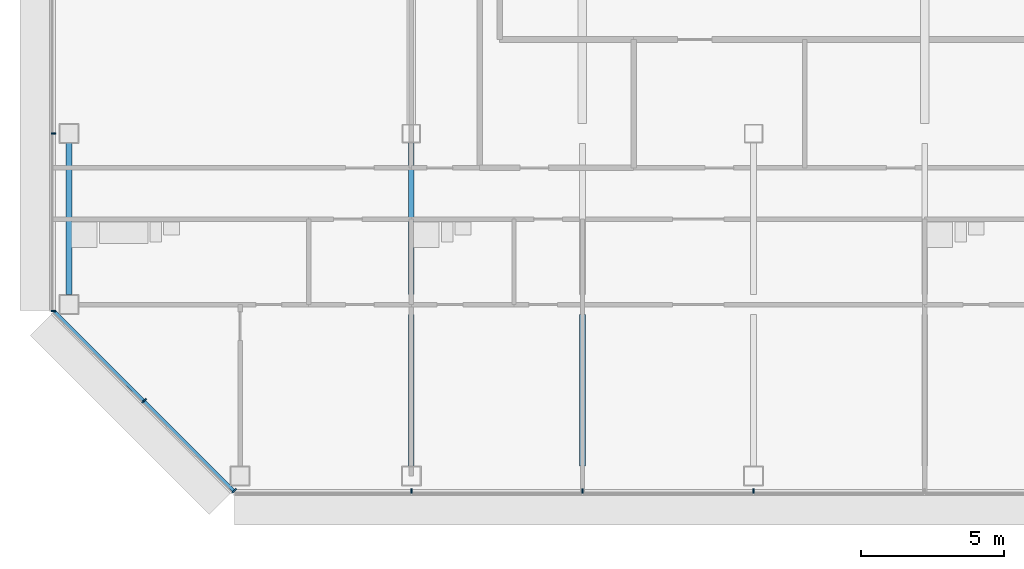
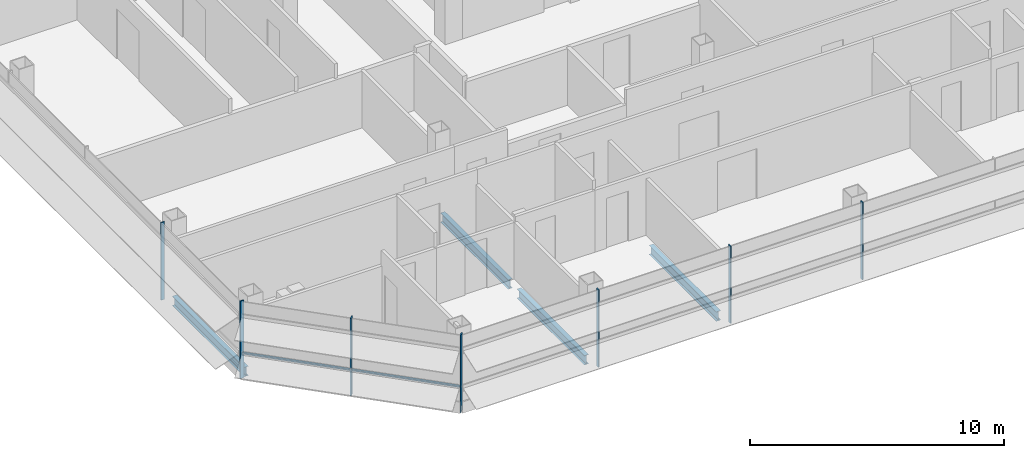
# One storey, part 2 of 27: 8 members, 4 beams, 3 elements without a shape of their own.
"""IFC4 building model written with IfcOpenShell, lengths in metres."""

import ifcopenshell
import ifcopenshell.guid

model = None  # the IFC model being written
_history = None  # IfcOwnerHistory: only IFC2X3 demands one
_inside = {}  # id of a spatial element -> (the spatial element, [elements in it])
_under = {}  # id of a project, library or spatial element -> (it, [spatial elements below it])
_declared = {}  # id of a project -> (the project, [libraries it declares])
_typed = {}  # id of a type object -> (the type object, [elements of that type])
_made_of = {}  # id of a material, layer set ... -> (it, [elements and type objects made of it])


def new_model(schema):
    """Start an empty IFC model of exactly this schema.

    Asked for "IFC4X3", IfcOpenShell would pick the latest addendum, in which some entities
    have other attributes; the version numbers below select the first issue.
    IFC2X3 requires an IfcOwnerHistory on every rooted entity: one is made here for all.
    """
    global model, _history
    if schema == "IFC4X3":
        model = ifcopenshell.file(schema_version=(4, 3, 0, 0))
    else:
        model = ifcopenshell.file(schema=schema)
    _inside.clear()
    _under.clear()
    _declared.clear()
    _typed.clear()
    _made_of.clear()
    _history = None
    if model.schema == "IFC2X3":
        org = make("IfcOrganization", Name="unknown")
        user = make(
            "IfcPersonAndOrganization",
            ThePerson=make("IfcPerson", FamilyName="unknown"),
            TheOrganization=org,
        )
        app = make(
            "IfcApplication",
            ApplicationDeveloper=org,
            Version="unknown",
            ApplicationFullName="unknown",
            ApplicationIdentifier="unknown",
        )
        _history = make(
            "IfcOwnerHistory",
            OwningUser=user,
            OwningApplication=app,
            ChangeAction="ADDED",
            CreationDate=0,
        )
    return model


def make(cls, **values):
    """One entity of the class cls with the attributes given. An attribute that is None is left unset."""
    return model.create_entity(
        cls, **{name: value for name, value in values.items() if value is not None}
    )


def rooted(cls, **values):
    """An entity with a GlobalId (a new one), such as an element, a storey or a relation."""
    return make(cls, GlobalId=ifcopenshell.guid.new(), OwnerHistory=_history, **values)


def si_unit(unit_type, name, prefix=None):
    """IfcSIUnit, for example si_unit("LENGTHUNIT", "METRE", prefix="MILLI")."""
    return make("IfcSIUnit", UnitType=unit_type, Prefix=prefix, Name=name)


def assignment(units):
    """IfcUnitAssignment: the units of a project."""
    return None if units is None else make("IfcUnitAssignment", Units=units)


def point(xyz):
    """IfcCartesianPoint."""
    return None if xyz is None else make("IfcCartesianPoint", Coordinates=xyz)


def direction(xyz):
    """IfcDirection."""
    return None if xyz is None else make("IfcDirection", DirectionRatios=xyz)


def frame(location, z_axis=None, x_axis=None):
    """IfcAxis2Placement3D, a coordinate frame: its origin and axes. An axis left out is left unset."""
    return make(
        "IfcAxis2Placement3D",
        Location=point(location),
        Axis=direction(z_axis),
        RefDirection=direction(x_axis),
    )


def frame_2d(location, x_axis=None):
    """IfcAxis2Placement2D, a coordinate frame in the plane: its origin and x axis."""
    return make(
        "IfcAxis2Placement2D", Location=point(location), RefDirection=direction(x_axis)
    )


def origin():
    """The frame at (0, 0, 0) with its axes left unset."""
    return frame((0.0, 0.0, 0.0))


def origin_2d():
    """The frame at (0, 0) in the plane with its x axis left unset."""
    return frame_2d((0.0, 0.0))


def place(relative_to, where):
    """IfcLocalPlacement: puts the frame where relative to a parent placement (None: the world)."""
    return make(
        "IfcLocalPlacement", PlacementRelTo=relative_to, RelativePlacement=where
    )


def context(
    kind, dimensions, precision=None, world=None, true_north=None, identifier=None
):
    """IfcGeometricRepresentationContext, for example the 3D "Model" context."""
    return make(
        "IfcGeometricRepresentationContext",
        ContextIdentifier=identifier,
        ContextType=kind,
        CoordinateSpaceDimension=dimensions,
        Precision=precision,
        WorldCoordinateSystem=world,
        TrueNorth=true_north,
    )


def subcontext(parent, identifier, kind, view, scale=None):
    """IfcGeometricRepresentationSubContext, for example "Body" below "Model"."""
    return make(
        "IfcGeometricRepresentationSubContext",
        ContextIdentifier=identifier,
        ContextType=kind,
        ParentContext=parent,
        TargetScale=scale,
        TargetView=view,
    )


def project(units=None, contexts=None):
    """IfcProject with its units and contexts."""
    return rooted(
        "IfcProject",
        Name="project",
        RepresentationContexts=contexts,
        UnitsInContext=assignment(units),
    )


def spatial(cls, under=None, at=None, **own):
    """A site, building, storey or space (cls), placed at a placement, below another one or the project."""
    s = rooted(cls, ObjectPlacement=at, **own)
    if under is not None:
        _under.setdefault(under.id(), (under, []))[1].append(s)
    return s


def profile(cls, at=None, kind="AREA", **sizes):
    """A parametric profile (cls). Its sizes go by their IFC names, for example OverallWidth=200.0."""
    return make(cls, ProfileType=kind, Position=at, **sizes)


def rectangle(**sizes):
    """IfcRectangleProfileDef."""
    return profile("IfcRectangleProfileDef", **sizes)


def i_section(**sizes):
    """IfcIShapeProfileDef."""
    return profile("IfcIShapeProfileDef", **sizes)


def extrude(swept, where, along, depth):
    """IfcExtrudedAreaSolid: the profile swept, set in the frame where, extruded along a direction by depth."""
    return make(
        "IfcExtrudedAreaSolid",
        SweptArea=swept,
        Position=where,
        ExtrudedDirection=direction(along),
        Depth=depth,
    )


def shape(context_of_items, identifier, shape_type, items):
    """IfcShapeRepresentation: the items that make up one representation, for example the "Body"."""
    return make(
        "IfcShapeRepresentation",
        ContextOfItems=context_of_items,
        RepresentationIdentifier=identifier,
        RepresentationType=shape_type,
        Items=items,
    )


def material(Name=None, Category=None):
    """IfcMaterial."""
    return make("IfcMaterial", Name=Name, Category=Category)


def material_profile(
    of_material, cross_section, Name=None, Category=None, Priority=None
):
    """IfcMaterialProfile: a cross section and its material."""
    return make(
        "IfcMaterialProfile",
        Name=Name,
        Material=of_material,
        Profile=cross_section,
        Priority=Priority,
        Category=Category,
    )


def profile_set(profiles, Name=None, composite=None):
    """IfcMaterialProfileSet."""
    return make(
        "IfcMaterialProfileSet",
        Name=Name,
        MaterialProfiles=profiles,
        CompositeProfile=composite,
    )


def made_of(thing, what):
    """Note that an element or type object is made of a material, layer set ...; save() writes the relation."""
    if what is not None:
        _made_of.setdefault(what.id(), (what, []))[1].append(thing)
    return thing


def type_object(cls, material=None, **own):
    """A type object (cls), such as IfcWallType, which elements share."""
    return made_of(rooted(cls, **own), material)


def element(
    cls,
    number,
    at=None,
    inside=None,
    cuts=None,
    type_object=None,
    material=None,
    context=None,
    identifier="Body",
    shape_type=None,
    held_by="IfcProductDefinitionShape",
    body=None,
    shapes=None,
    **own,
):
    """One element of the class cls, such as IfcWall. Its Tag is "e" and its number.

    at: its placement. inside: the storey or other place that contains it. cuts: it is an
    opening in that element (IfcRelVoidsElement). A single representation is given by context,
    identifier, shape_type and body (its items); several are given by shapes. held_by: the class
    of the entity that holds the representations. save() writes the other relations.
    """
    e = rooted(cls, Tag="e%d" % number, ObjectPlacement=at, **own)
    if body is not None:
        shapes = [shape(context, identifier, shape_type, body)]
    if shapes is not None:
        e.Representation = make(held_by, Representations=shapes)
    if inside is not None:
        _inside.setdefault(inside.id(), (inside, []))[1].append(e)
    if cuts is not None:
        rooted(
            "IfcRelVoidsElement", RelatingBuildingElement=cuts, RelatedOpeningElement=e
        )
    if type_object is not None:
        _typed.setdefault(type_object.id(), (type_object, []))[1].append(e)
    return made_of(e, material)


def aggregate(whole, parts):
    """IfcRelAggregates: a whole, such as a stair, and the parts it consists of."""
    return rooted("IfcRelAggregates", RelatingObject=whole, RelatedObjects=parts)


def save(model, path):
    """Write the relations noted so far, then the file.

    IfcRelAggregates (storeys below a building ...), IfcRelContainedInSpatialStructure (elements
    in a storey), IfcRelDefinesByType, IfcRelAssociatesMaterial and IfcRelDeclares: one each for
    every whole, place, type object, material and project.
    """
    for whole, parts in _under.values():
        aggregate(whole, parts)
    for where, things in _inside.values():
        rooted(
            "IfcRelContainedInSpatialStructure",
            RelatedElements=things,
            RelatingStructure=where,
        )
    for kind, things in _typed.values():
        rooted("IfcRelDefinesByType", RelatedObjects=things, RelatingType=kind)
    for what, things in _made_of.values():
        rooted("IfcRelAssociatesMaterial", RelatedObjects=things, RelatingMaterial=what)
    for by, libraries in _declared.values():
        rooted("IfcRelDeclares", RelatingContext=by, RelatedDefinitions=libraries)
    model.write(path)


model = new_model("IFC4")

# Units and contexts
model_context = context("Model", 3, precision=1e-05, world=origin(), true_north=direction((0.0, 1.0)))
body_context = subcontext(model_context, "Body", "Model", "MODEL_VIEW")
ifc_project = project(units=[si_unit("LENGTHUNIT", "METRE"), si_unit("AREAUNIT", "SQUARE_METRE"), si_unit("VOLUMEUNIT", "CUBIC_METRE"), si_unit("PLANEANGLEUNIT", "RADIAN"), si_unit("MASSUNIT", "GRAM", prefix="KILO")], contexts=[model_context])

# Site, building, storey
site_placement = place(None, origin())
site = spatial("IfcSite", under=ifc_project, at=site_placement, CompositionType="ELEMENT")
building_placement = place(site_placement, origin())
building = spatial("IfcBuilding", under=site, at=building_placement, Name="Sorahane Residences", CompositionType="ELEMENT")
storey_placement = place(building_placement, frame((0.0, 0.0, 192.0)))
storey = spatial("IfcBuildingStorey", under=building, at=storey_placement, Name="L44", CompositionType="ELEMENT", Elevation=192.0)

# Curtain wall, members
ifc_material_1 = material(Name="Dark low-e glass and black anodised aluminium", Category="aluminium")
curtain_wall_type_1 = type_object("IfcCurtainWallType", Name="Curtain wall CW-1 Typical unitised wall", PredefinedType="NOTDEFINED", material=ifc_material_1)
curtain_wall_1_placement = place(storey_placement, origin())
curtain_wall_1 = element("IfcCurtainWall", 1, at=curtain_wall_1_placement, inside=storey, type_object=curtain_wall_type_1, Name="CW-1 curtain wall L44 S1", PredefinedType="NOTDEFINED")
ifc_material_2 = material(Name="Black anodised aluminium", Category="aluminium")
ifc_material_profile_1 = material_profile(ifc_material_2, rectangle(XDim=0.159912109375, YDim=0.050048828125, at=origin_2d()), Name="Curtain wall mullion CW-1 black anodised aluminium 50x160")
ifc_profile_set_1 = profile_set([ifc_material_profile_1], Name="Black anodised aluminium")
member_type_1 = type_object("IfcMemberType", Name="Curtain wall mullion CW-1 black anodised aluminium 50x160", PredefinedType="MULLION", material=ifc_profile_set_1)
member_1_placement = place(storey_placement, frame((0.0, -0.5400390625, -0.300048828125), z_axis=(0.0, 0.0, 1.0), x_axis=(0.0, -1.0, 0.0)))
member_1 = element("IfcMember", 2, at=member_1_placement, type_object=member_type_1, Name="CW-1 mullion L44 S1.2", PredefinedType="MULLION", context=body_context, shape_type="SweptSolid", body=[
    extrude(rectangle(XDim=0.159912109375, YDim=0.050048828125, at=origin_2d()), origin(), (0.0, 0.0, 1.0), 3.719970703125),
])
member_2_placement = place(storey_placement, frame((6.0, -0.5400390625, -0.300048828125), z_axis=(0.0, 0.0, 1.0), x_axis=(0.0, -1.0, 0.0)))
member_2 = element("IfcMember", 3, at=member_2_placement, type_object=member_type_1, Name="CW-1 mullion L44 S1.3", PredefinedType="MULLION", context=body_context, shape_type="SweptSolid", body=[
    extrude(rectangle(XDim=0.159912109375, YDim=0.050048828125, at=origin_2d()), origin(), (0.0, 0.0, 1.0), 3.719970703125),
])
member_3_placement = place(storey_placement, frame((12.0, -0.5400390625, -0.300048828125), z_axis=(0.0, 0.0, 1.0), x_axis=(0.0, -1.0, 0.0)))
member_3 = element("IfcMember", 4, at=member_3_placement, type_object=member_type_1, Name="CW-1 mullion L44 S1.4", PredefinedType="MULLION", context=body_context, shape_type="SweptSolid", body=[
    extrude(rectangle(XDim=0.159912109375, YDim=0.050048828125, at=origin_2d()), origin(), (0.0, 0.0, 1.0), 3.719970703125),
])
aggregate(curtain_wall_1, [member_1, member_2, member_3])

curtain_wall_2_placement = place(storey_placement, origin())
curtain_wall_2 = element("IfcCurtainWall", 5, at=curtain_wall_2_placement, inside=storey, type_object=curtain_wall_type_1, Name="CW-1 curtain wall L44 W1", PredefinedType="NOTDEFINED")
member_4_placement = place(storey_placement, frame((-12.5400390625, 12.0, -0.300048828125), z_axis=(0.0, 0.0, 1.0), x_axis=(-1.0, 0.0, 0.0)))
member_4 = element("IfcMember", 6, at=member_4_placement, type_object=member_type_1, Name="CW-1 mullion L44 W1.6", PredefinedType="MULLION", context=body_context, shape_type="SweptSolid", body=[
    extrude(rectangle(XDim=0.159912109375, YDim=0.050048828125, at=origin_2d()), origin(), (0.0, 0.0, 1.0), 3.719970703125),
])
member_5_placement = place(storey_placement, frame((-12.5400390625, 5.7763671875, -0.300048828125), z_axis=(0.0, 0.0, 1.0), x_axis=(-1.0, 0.0, 0.0)))
member_5 = element("IfcMember", 7, at=member_5_placement, type_object=member_type_1, Name="CW-1 mullion L44 W1.7", PredefinedType="MULLION", context=body_context, shape_type="SweptSolid", body=[
    extrude(rectangle(XDim=0.159912109375, YDim=0.050048828125, at=origin_2d()), origin(), (0.0, 0.0, 1.0), 3.719970703125),
])
aggregate(curtain_wall_2, [member_4, member_5])

ifc_material_3 = material(Name="Dark low-e glass and black anodised aluminium", Category="aluminium")
curtain_wall_type_2 = type_object("IfcCurtainWallType", Name="Curtain wall CW-2 Chamfer unitised wall", PredefinedType="NOTDEFINED", material=ifc_material_3)
curtain_wall_3_placement = place(storey_placement, origin())
curtain_wall_3 = element("IfcCurtainWall", 8, at=curtain_wall_3_placement, inside=storey, type_object=curtain_wall_type_2, Name="CW-2 curtain wall L44 SW1", PredefinedType="NOTDEFINED")
ifc_material_4 = material(Name="Black anodised aluminium", Category="aluminium")
ifc_material_profile_2 = material_profile(ifc_material_4, rectangle(XDim=0.199951171875, YDim=0.050048828125, at=origin_2d()), Name="Curtain wall mullion CW-2 black anodised aluminium 50x200")
ifc_profile_set_2 = profile_set([ifc_material_profile_2], Name="Black anodised aluminium")
member_type_2 = type_object("IfcMemberType", Name="Curtain wall mullion CW-2 black anodised aluminium 50x200", PredefinedType="MULLION", material=ifc_profile_set_2)
member_6_placement = place(storey_placement, frame((-9.36767578125, 2.63232421875, -0.300048828125), z_axis=(0.0, 0.0, 1.0), x_axis=(-0.707106781187, -0.707106781187, 0.0)))
member_6 = element("IfcMember", 9, at=member_6_placement, type_object=member_type_2, Name="CW-2 mullion L44 SW1.2", PredefinedType="MULLION", context=body_context, shape_type="SweptSolid", body=[
    extrude(rectangle(XDim=0.199951171875, YDim=0.050048828125, at=origin_2d()), origin(), (0.0, 0.0, 1.0), 3.719970703125),
])
member_7_placement = place(storey_placement, frame((-6.209716796875, -0.525634765625, -0.300048828125), z_axis=(0.0, 0.0, 1.0), x_axis=(-0.707106781187, -0.707106781187, 0.0)))
member_7 = element("IfcMember", 10, at=member_7_placement, type_object=member_type_2, Name="CW-2 mullion L44 SW1.3", PredefinedType="MULLION", context=body_context, shape_type="SweptSolid", body=[
    extrude(rectangle(XDim=0.199951171875, YDim=0.050048828125, at=origin_2d()), origin(), (0.0, 0.0, 1.0), 3.719970703125),
])
ifc_material_5 = material(Name="Black anodised aluminium", Category="aluminium")
ifc_material_profile_3 = material_profile(ifc_material_5, rectangle(XDim=0.10009765625, YDim=0.06005859375, at=origin_2d()), Name="Curtain wall transom CW-2 black anodised aluminium 60x100")
ifc_profile_set_3 = profile_set([ifc_material_profile_3], Name="Black anodised aluminium")
member_type_3 = type_object("IfcMemberType", Name="Curtain wall transom CW-2 black anodised aluminium 60x100", PredefinedType="USERDEFINED", material=ifc_profile_set_3)
member_8_placement = place(storey_placement, frame((-12.51513671875, 5.765625, 0.89990234375), z_axis=(0.707106781187, -0.707106781187, 0.0), x_axis=(0.707106781187, 0.707106781187, 0.0)))
member_8 = element("IfcMember", 11, at=member_8_placement, type_object=member_type_3, Name="CW-2 transom L44 SW1", ObjectType="TRANSOM", PredefinedType="USERDEFINED", context=body_context, shape_type="SweptSolid", body=[
    extrude(rectangle(XDim=0.10009765625, YDim=0.06005859375, at=origin_2d()), origin(), (0.0, 0.0, 1.0), 8.88232421875),
])
aggregate(curtain_wall_3, [member_6, member_7, member_8])

# Beams
ifc_material_6 = material(Name="Steel Q355B", Category="steel")
ifc_material_profile_4 = material_profile(ifc_material_6, i_section(OverallWidth=0.199951171875, OverallDepth=0.449951171875, WebThickness=0.009033203125, FlangeThickness=0.013916015625, FilletRadius=0.02001953125, at=origin_2d()), Name="HN 450x200x9x14")
ifc_profile_set_4 = profile_set([ifc_material_profile_4], Name="Steel Q355B")
beam_type = type_object("IfcBeamType", Name="Steel floor beam HN 450x200x9x14 Q355B", PredefinedType="BEAM", material=ifc_profile_set_4)
beam_1_placement = place(storey_placement, frame((-12.0, 6.35009765625, -0.52490234375), z_axis=(0.0, 1.0, 0.0), x_axis=(-1.0, 0.0, 0.0)))
element("IfcBeam", 12, at=beam_1_placement, inside=storey, type_object=beam_type, Name="Beam L44 000", PredefinedType="BEAM", context=body_context, shape_type="SweptSolid", body=[
    extrude(i_section(OverallWidth=0.199951171875, OverallDepth=0.449951171875, WebThickness=0.009033203125, FlangeThickness=0.013916015625, FilletRadius=0.02001953125, at=origin_2d()), origin(), (0.0, 0.0, 1.0), 5.64990234375),
])
beam_2_placement = place(storey_placement, frame((0.0, 0.35009765625, -0.52490234375), z_axis=(0.0, 1.0, 0.0), x_axis=(-1.0, 0.0, 0.0)))
element("IfcBeam", 13, at=beam_2_placement, inside=storey, type_object=beam_type, Name="Beam L44 001", PredefinedType="BEAM", context=body_context, shape_type="SweptSolid", body=[
    extrude(i_section(OverallWidth=0.199951171875, OverallDepth=0.449951171875, WebThickness=0.009033203125, FlangeThickness=0.013916015625, FilletRadius=0.02001953125, at=origin_2d()), origin(), (0.0, 0.0, 1.0), 5.2998046875),
])
beam_3_placement = place(storey_placement, frame((0.0, 6.35009765625, -0.52490234375), z_axis=(0.0, 1.0, 0.0), x_axis=(-1.0, 0.0, 0.0)))
element("IfcBeam", 14, at=beam_3_placement, inside=storey, type_object=beam_type, Name="Beam L44 002", PredefinedType="BEAM", context=body_context, shape_type="SweptSolid", body=[
    extrude(i_section(OverallWidth=0.199951171875, OverallDepth=0.449951171875, WebThickness=0.009033203125, FlangeThickness=0.013916015625, FilletRadius=0.02001953125, at=origin_2d()), origin(), (0.0, 0.0, 1.0), 5.324951171875),
])
beam_4_placement = place(storey_placement, frame((6.0, 0.35009765625, -0.52490234375), z_axis=(0.0, 1.0, 0.0), x_axis=(-1.0, 0.0, 0.0)))
element("IfcBeam", 15, at=beam_4_placement, inside=storey, type_object=beam_type, Name="Beam L44 006", PredefinedType="BEAM", context=body_context, shape_type="SweptSolid", body=[
    extrude(i_section(OverallWidth=0.199951171875, OverallDepth=0.449951171875, WebThickness=0.009033203125, FlangeThickness=0.013916015625, FilletRadius=0.02001953125, at=origin_2d()), origin(), (0.0, 0.0, 1.0), 5.2998046875),
])

save(model, "model.ifc")
